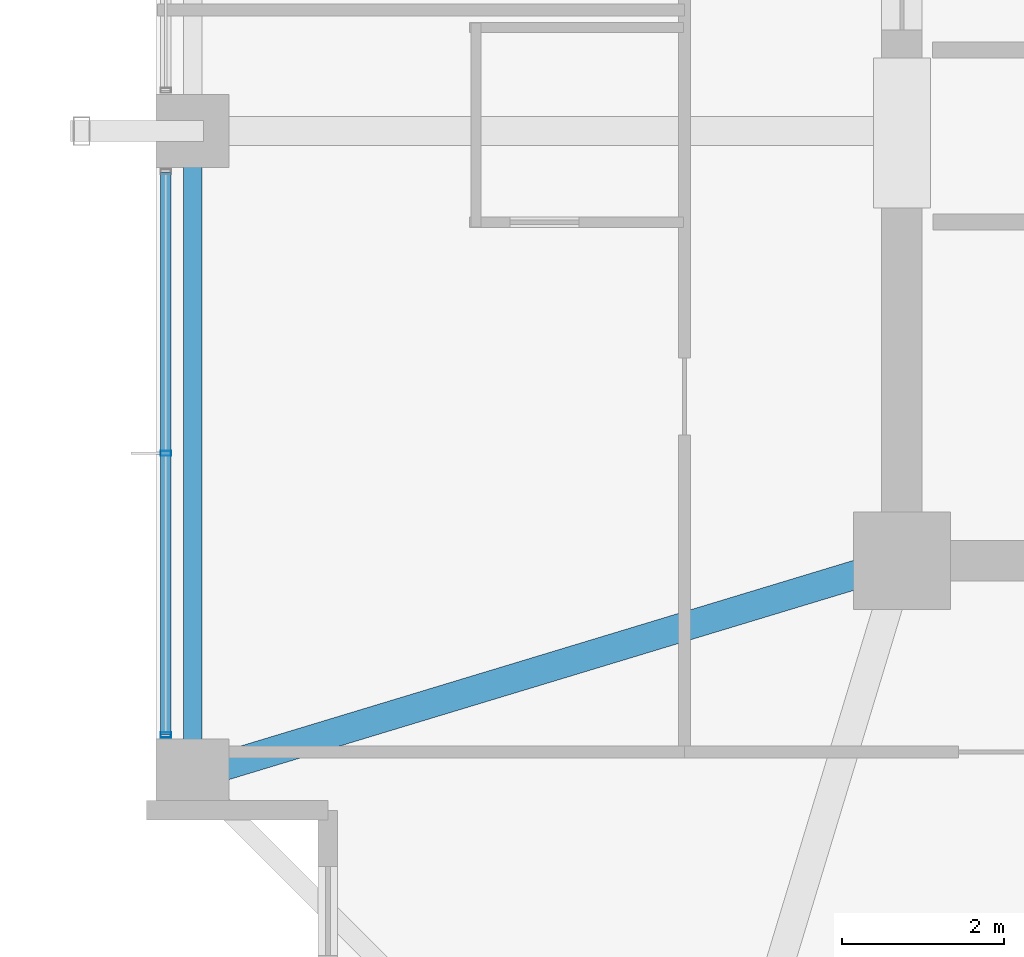
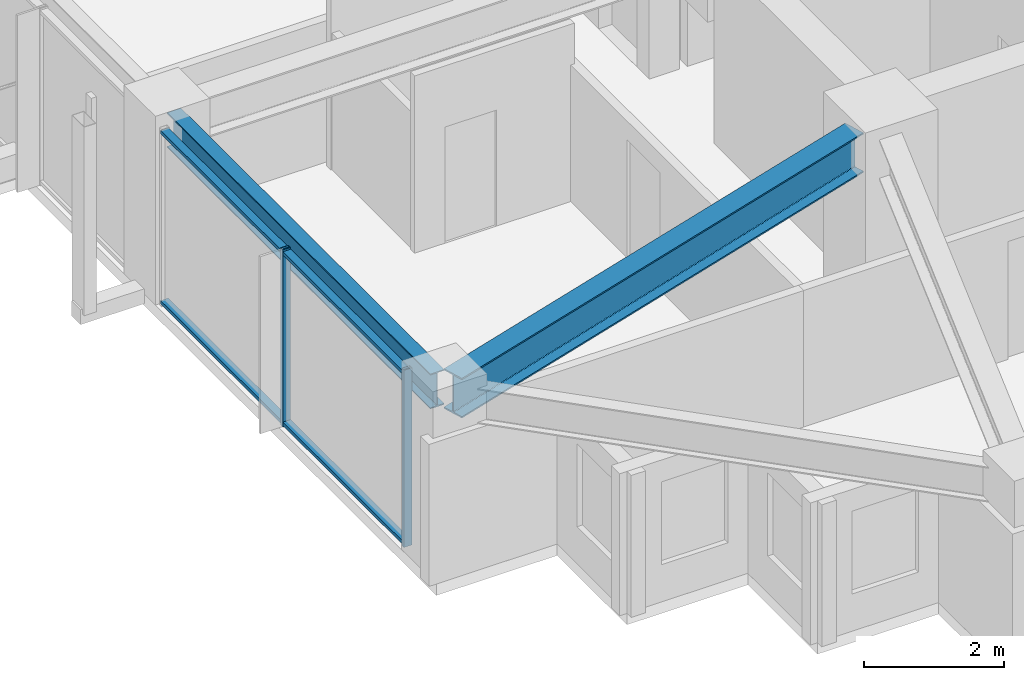
# One storey, part 3 of 34: 4 members, 2 beams, 1 element without a shape of its own.
"""IFC4 building model written with IfcOpenShell, lengths in metres."""

from ifc_helpers import new_model, si_unit, direction, frame, origin, origin_2d, place, context, subcontext, project, spatial, hollow_rectangle, i_section, extrude, material, material_profile, profile_set, type_object, element, aggregate, save


model = new_model("IFC4")

# Units and contexts
model_context = context("Model", 3, precision=1e-05, world=origin(), true_north=direction((0.0, 1.0)))
body_context = subcontext(model_context, "Body", "Model", "MODEL_VIEW")
ifc_project = project(units=[si_unit("LENGTHUNIT", "METRE"), si_unit("AREAUNIT", "SQUARE_METRE"), si_unit("VOLUMEUNIT", "CUBIC_METRE"), si_unit("PLANEANGLEUNIT", "RADIAN"), si_unit("MASSUNIT", "GRAM", prefix="KILO")], contexts=[model_context])

# Site, building, storey
site_placement = place(None, origin())
site = spatial("IfcSite", under=ifc_project, at=site_placement, CompositionType="ELEMENT")
building_placement = place(site_placement, origin())
building = spatial("IfcBuilding", under=site, at=building_placement, Name="Kolvaren Belvedere", CompositionType="ELEMENT")
storey_placement = place(building_placement, frame((0.0, 0.0, 166.800048828125)))
storey = spatial("IfcBuildingStorey", under=building, at=storey_placement, Name="L48", CompositionType="ELEMENT", Elevation=166.800048828125)

# Beams
ifc_material_1 = material(Name="Structural steel ASTM A992 Grade 50", Category="steel")
ifc_material_profile_1 = material_profile(ifc_material_1, i_section(OverallWidth=0.35498046875, OverallDepth=0.696044921875, WebThickness=0.015380859375, FlangeThickness=0.02490234375, FilletRadius=0.02197265625, at=origin_2d()), Name="W27X146")
ifc_profile_set_1 = profile_set([ifc_material_profile_1], Name="Structural steel ASTM A992 Grade 50")
beam_type_1 = type_object("IfcBeamType", Name="BM-GIRD-W27X146", PredefinedType="BEAM", material=ifc_profile_set_1)
beam_1_placement = place(storey_placement, frame((-10.426513671875, -10.059326171875, 2.751953125), z_axis=(-0.957067352423, -0.289865629086, 0.0), x_axis=(0.289865629086, -0.957067352423, 0.0)))
element("IfcBeam", 1, at=beam_1_placement, inside=storey, type_object=beam_type_1, Name="L48 Corner Core-to-Perimeter Girder CC1-W1", PredefinedType="BEAM", context=body_context, shape_type="SweptSolid", body=[
    extrude(i_section(OverallWidth=0.35498046875, OverallDepth=0.696044921875, WebThickness=0.015380859375, FlangeThickness=0.02490234375, FilletRadius=0.02197265625, at=origin_2d()), origin(), (0.0, 0.0, 1.0), 8.412353515625),
])
ifc_material_2 = material(Name="Structural steel ASTM A992 Grade 50", Category="steel")
ifc_material_profile_2 = material_profile(ifc_material_2, i_section(OverallWidth=0.22900390625, OverallDepth=0.612060546875, WebThickness=0.011962890625, FlangeThickness=0.01953125, FilletRadius=0.01806640625, at=origin_2d()), Name="W24X84")
ifc_profile_set_2 = profile_set([ifc_material_profile_2], Name="Structural steel ASTM A992 Grade 50")
beam_type_2 = type_object("IfcBeamType", Name="BM-SPAN-W24X84", PredefinedType="SPANDREL", material=ifc_profile_set_2)
beam_2_placement = place(storey_placement, frame((-18.64990234375, -4.802490234375, 2.7939453125), z_axis=(0.0, -1.0, 0.0), x_axis=(1.0, 0.0, 0.0)))
element("IfcBeam", 2, at=beam_2_placement, inside=storey, type_object=beam_type_2, Name="L48 Perimeter Spandrel W2-W1", PredefinedType="SPANDREL", context=body_context, shape_type="SweptSolid", body=[
    extrude(i_section(OverallWidth=0.22900390625, OverallDepth=0.612060546875, WebThickness=0.011962890625, FlangeThickness=0.01953125, FilletRadius=0.01806640625, at=origin_2d()), origin(), (0.0, 0.0, 1.0), 7.544921875),
])

# Curtain wall, members
ifc_material_3 = material(Name="Anodised pale-metal aluminium AA 6063-T6", Category="aluminium")
curtain_wall_type = type_object("IfcCurtainWallType", Name="CW-Z3-WAIST", PredefinedType="NOTDEFINED", material=ifc_material_3)
curtain_wall_placement = place(storey_placement, origin())
curtain_wall = element("IfcCurtainWall", 3, at=curtain_wall_placement, inside=storey, type_object=curtain_wall_type, Name="L48 Unitised Curtain Wall FCW-L48-W1-B1", PredefinedType="NOTDEFINED")
ifc_material_4 = material(Name="Anodised pale-metal aluminium AA 6063-T6", Category="aluminium")
ifc_material_profile_3 = material_profile(ifc_material_4, hollow_rectangle(XDim=0.06494140625, YDim=0.1298828125, WallThickness=0.00390625, at=origin_2d()), Name="ALU-MUL-130X65")
ifc_profile_set_3 = profile_set([ifc_material_profile_3], Name="Anodised pale-metal aluminium AA 6063-T6")
member_type_1 = type_object("IfcMemberType", Name="CW-MUL-130", PredefinedType="MULLION", material=ifc_profile_set_3)
member_1_placement = place(storey_placement, frame((-18.97998046875, -12.047607421875, 0.0), z_axis=(0.0, 0.0, 1.0), x_axis=(0.0, 1.0, 0.0)))
member_1 = element("IfcMember", 4, at=member_1_placement, type_object=member_type_1, Name="FCW-L48-W1-B1 Unitised Mullion 1", PredefinedType="MULLION", context=body_context, shape_type="SweptSolid", body=[
    extrude(hollow_rectangle(XDim=0.06494140625, YDim=0.1298828125, WallThickness=0.00390625, at=origin_2d()), origin(), (0.0, 0.0, 1.0), 3.099853515625),
])
member_2_placement = place(storey_placement, frame((-18.97998046875, -8.574951171875, 0.0), z_axis=(0.0, 0.0, 1.0), x_axis=(0.0, 1.0, 0.0)))
member_2 = element("IfcMember", 5, at=member_2_placement, type_object=member_type_1, Name="FCW-L48-W1-B1 Unitised Mullion 2", PredefinedType="MULLION", context=body_context, shape_type="SweptSolid", body=[
    extrude(hollow_rectangle(XDim=0.06494140625, YDim=0.1298828125, WallThickness=0.00390625, at=origin_2d()), origin(), (0.0, 0.0, 1.0), 3.099853515625),
])
ifc_material_5 = material(Name="Anodised pale-metal aluminium AA 6063-T6", Category="aluminium")
ifc_material_profile_4 = material_profile(ifc_material_5, hollow_rectangle(XDim=0.06005859375, YDim=0.1298828125, WallThickness=0.00390625, at=origin_2d()), Name="ALU-TRN-130X60")
ifc_profile_set_4 = profile_set([ifc_material_profile_4], Name="Anodised pale-metal aluminium AA 6063-T6")
member_type_2 = type_object("IfcMemberType", Name="CW-TRN-130", PredefinedType="USERDEFINED", material=ifc_profile_set_4)
member_3_placement = place(storey_placement, frame((-18.97998046875, -12.047607421875, 0.06005859375), z_axis=(0.0, 1.0, 0.0), x_axis=(0.0, 0.0, 1.0)))
member_3 = element("IfcMember", 6, at=member_3_placement, type_object=member_type_2, Name="FCW-L48-W1-B1 Sill Transom", ObjectType="TRANSOM", PredefinedType="USERDEFINED", context=body_context, shape_type="SweptSolid", body=[
    extrude(hollow_rectangle(XDim=0.06005859375, YDim=0.1298828125, WallThickness=0.00390625, at=origin_2d()), origin(), (0.0, 0.0, 1.0), 6.945068359375),
])
member_4_placement = place(storey_placement, frame((-18.97998046875, -12.047607421875, 3.0400390625), z_axis=(0.0, 1.0, 0.0), x_axis=(0.0, 0.0, 1.0)))
member_4 = element("IfcMember", 7, at=member_4_placement, type_object=member_type_2, Name="FCW-L48-W1-B1 Head Transom", ObjectType="TRANSOM", PredefinedType="USERDEFINED", context=body_context, shape_type="SweptSolid", body=[
    extrude(hollow_rectangle(XDim=0.06005859375, YDim=0.1298828125, WallThickness=0.00390625, at=origin_2d()), origin(), (0.0, 0.0, 1.0), 6.945068359375),
])
aggregate(curtain_wall, [member_1, member_2, member_3, member_4])

save(model, "model.ifc")
